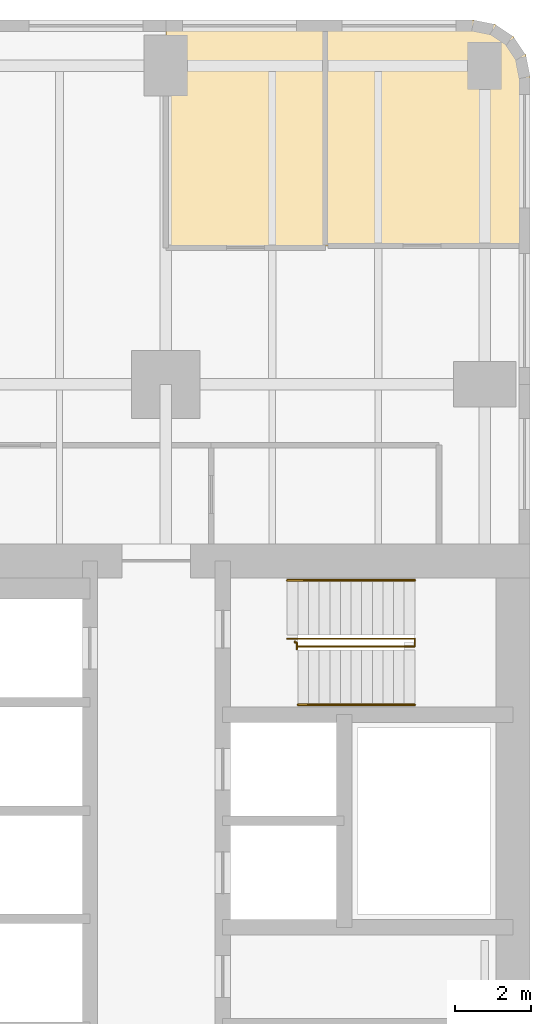
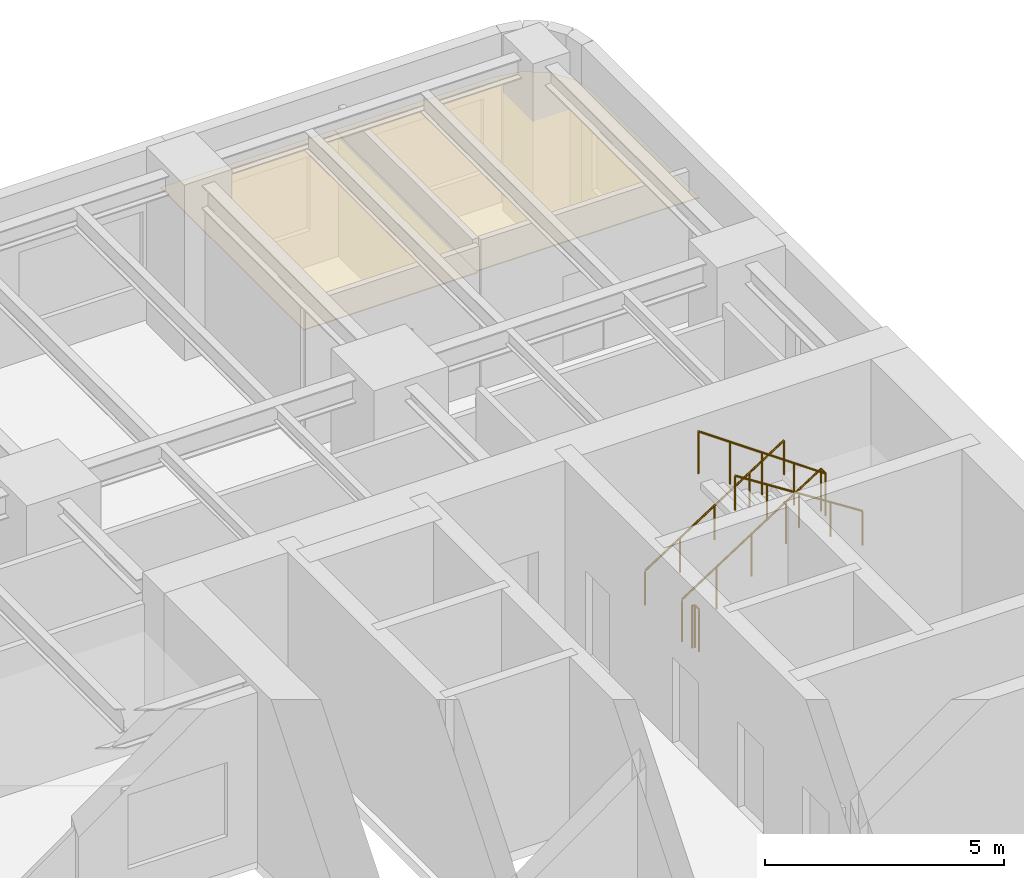
# One storey, part 12 of 12: 4 railings, 2 coverings.
"""IFC4 building model written with IfcOpenShell, lengths in metres."""

from ifc_helpers import new_model, si_unit, direction, frame, origin, origin_2d, place, context, subcontext, project, spatial, polyline, circle, outline, extrude, material, layer, layer_set, type_object, element, save


model = new_model("IFC4")

# Units and contexts
model_context = context("Model", 3, precision=1e-05, world=origin(), true_north=direction((0.0, 1.0)))
body_context = subcontext(model_context, "Body", "Model", "MODEL_VIEW")
ifc_project = project(units=[si_unit("LENGTHUNIT", "METRE"), si_unit("AREAUNIT", "SQUARE_METRE"), si_unit("VOLUMEUNIT", "CUBIC_METRE"), si_unit("PLANEANGLEUNIT", "RADIAN"), si_unit("MASSUNIT", "GRAM", prefix="KILO")], contexts=[model_context])

# Site, building, storey
site_placement = place(None, origin())
site = spatial("IfcSite", under=ifc_project, at=site_placement, CompositionType="ELEMENT")
building_placement = place(site_placement, origin())
building = spatial("IfcBuilding", under=site, at=building_placement, Name="Claustro Exchange Tower", CompositionType="ELEMENT")
storey_placement = place(building_placement, frame((0.0, 0.0, 68.39990234375)))
storey = spatial("IfcBuildingStorey", under=building, at=storey_placement, Name="L15", CompositionType="ELEMENT", Elevation=68.39990234375)

# Coverings
ifc_material_1 = material(Name="Gypsum board ceiling", Category="gypsum board")
ifc_layer = layer(ifc_material_1, 0.02490234375)
ifc_layer_set = layer_set([ifc_layer], Name="Gypsum board ceiling")
covering_type = type_object("IfcCoveringType", Name="CL2 plasterboard ceiling", PredefinedType="CEILING", material=ifc_layer_set)
covering_1_placement = place(storey_placement, frame((0.0, 0.0, 3.0)))
element("IfcCovering", 1, at=covering_1_placement, inside=storey, type_object=covering_type, Name="Ceiling CL2 L15-21", PredefinedType="CEILING", context=body_context, shape_type="SweptSolid", body=[
    extrude(outline(polyline([(46.199951171875, 51.60009765625), (42.0, 51.60009765625), (42.0, 45.60009765625), (46.199951171875, 45.60009765625), (46.199951171875, 51.60009765625)])), origin(), (0.0, 0.0, 1.0), 0.025146484375),
])
covering_2_placement = place(storey_placement, frame((0.0, 0.0, 3.0)))
element("IfcCovering", 2, at=covering_2_placement, inside=storey, type_object=covering_type, Name="Ceiling CL2 L15-22", PredefinedType="CEILING", context=body_context, shape_type="SweptSolid", body=[
    extrude(outline(polyline([(50.10009765625, 51.60009765625), (46.199951171875, 51.60009765625), (46.199951171875, 45.64990234375), (51.60009765625, 45.64990234375), (51.60009765625, 50.10009765625), (51.48583984375, 50.674072265625), (51.16064453125, 51.16064453125), (50.674072265625, 51.48583984375), (50.10009765625, 51.60009765625)])), origin(), (0.0, 0.0, 1.0), 0.025146484375),
])

# Railings
ifc_material_2 = material(Name="Steel balustrade, painted", Category="steel")
railing_type_1 = type_object("IfcRailingType", Name="GR2 1100 steel stair guard", PredefinedType="GUARDRAIL", material=ifc_material_2)
railing_1_placement = place(storey_placement, frame((45.199951171875, 35.300048828125, 0.18017578125)))
element("IfcRailing", 3, at=railing_1_placement, inside=storey, type_object=railing_type_1, Name="Stair well guard GR2 stair STEB L15", PredefinedType="GUARDRAIL", context=body_context, shape_type="SweptSolid", body=[
    extrude(circle(Radius=0.02392578125, at=origin_2d()), frame((0.0, 0.0, 1.076171875), z_axis=(0.84119634759, 0.0, 0.540729789082), x_axis=(0.0, 1.0, 0.0)), (0.0, 0.0, 1.0), 3.994384765625),
    extrude(circle(Radius=0.02392578125, at=origin_2d()), frame((3.360107421875, 0.0, 3.23583984375), z_axis=(0.0, -1.0, 0.0), x_axis=(1.0, 0.0, 0.0)), (0.0, 0.0, 1.0), 0.199951171875),
    extrude(circle(Radius=0.02392578125, at=origin_2d()), frame((3.360107421875, -0.199951171875, 3.23583984375), z_axis=(-0.8187499073, 0.0, 0.574150319426), x_axis=(0.0, -1.0, 0.0)), (0.0, 0.0, 1.0), 3.761962890625),
    extrude(circle(Radius=0.02099609375, at=origin_2d()), origin(), (0.0, 0.0, 1.0), 1.052001953125),
    extrude(circle(Radius=0.02099609375, at=origin_2d()), frame((0.840087890625, 0.0, 0.5400390625)), (0.0, 0.0, 1.0), 1.052001953125),
    extrude(circle(Radius=0.02099609375, at=origin_2d()), frame((1.68017578125, 0.0, 1.080078125)), (0.0, 0.0, 1.0), 1.052001953125),
    extrude(circle(Radius=0.02099609375, at=origin_2d()), frame((2.52001953125, 0.0, 1.619873046875)), (0.0, 0.0, 1.0), 1.052001953125),
    extrude(circle(Radius=0.02099609375, at=origin_2d()), frame((3.360107421875, 0.0, 2.159912109375)), (0.0, 0.0, 1.0), 1.052001953125),
    extrude(circle(Radius=0.02099609375, at=origin_2d()), frame((3.360107421875, -0.199951171875, 2.159912109375)), (0.0, 0.0, 1.0), 1.052001953125),
    extrude(circle(Radius=0.02099609375, at=origin_2d()), frame((2.590087890625, -0.199951171875, 2.699951171875)), (0.0, 0.0, 1.0), 1.052001953125),
    extrude(circle(Radius=0.02099609375, at=origin_2d()), frame((1.820068359375, -0.199951171875, 3.23974609375)), (0.0, 0.0, 1.0), 1.052001953125),
    extrude(circle(Radius=0.02099609375, at=origin_2d()), frame((1.050048828125, -0.199951171875, 3.77978515625)), (0.0, 0.0, 1.0), 1.052001953125),
    extrude(circle(Radius=0.02099609375, at=origin_2d()), frame((0.280029296875, -0.199951171875, 4.31982421875)), (0.0, 0.0, 1.0), 1.052001953125),
])
railing_2_placement = place(storey_placement, frame((45.39990234375, 35.22998046875, 0.0)))
element("IfcRailing", 4, at=railing_2_placement, inside=storey, type_object=railing_type_1, Name="Stair guard GR2 STEB L15", PredefinedType="GUARDRAIL", context=body_context, shape_type="SweptSolid", body=[
    extrude(circle(Radius=0.02392578125, at=origin_2d()), frame((0.0, 0.0, 1.076171875), z_axis=(0.0, -1.0, 0.0), x_axis=(1.0, 0.0, 0.0)), (0.0, 0.0, 1.0), 0.030029296875),
    extrude(circle(Radius=0.02392578125, at=origin_2d()), frame((0.0, -0.030029296875, 1.076171875), z_axis=(1.0, 0.0, 0.0), x_axis=(0.0, 1.0, 0.0)), (0.0, 0.0, 1.0), 0.05517578125),
    extrude(circle(Radius=0.02392578125, at=origin_2d()), frame((0.05517578125, -0.030029296875, 1.076171875), z_axis=(0.0, -1.0, 0.0), x_axis=(1.0, 0.0, 0.0)), (0.0, 0.0, 1.0), 0.179931640625),
    extrude(circle(Radius=0.02099609375, at=origin_2d()), origin(), (0.0, 0.0, 1.0), 1.052001953125),
    extrude(circle(Radius=0.02099609375, at=origin_2d()), frame((0.0, -0.030029296875, 0.0)), (0.0, 0.0, 1.0), 1.052001953125),
    extrude(circle(Radius=0.02099609375, at=origin_2d()), frame((0.05517578125, -0.030029296875, 0.0)), (0.0, 0.0, 1.0), 1.052001953125),
    extrude(circle(Radius=0.02099609375, at=origin_2d()), frame((0.05517578125, -0.2099609375, 0.0)), (0.0, 0.0, 1.0), 1.052001953125),
])
ifc_material_3 = material(Name="Stainless steel tube", Category="steel")
railing_type_2 = type_object("IfcRailingType", Name="HR1 900 stair handrail", PredefinedType="HANDRAIL", material=ifc_material_3)
railing_3_placement = place(storey_placement, frame((45.199951171875, 36.840087890625, 0.18017578125)))
element("IfcRailing", 5, at=railing_3_placement, inside=storey, type_object=railing_type_2, Name="Handrail HR1 stair STEB L15", PredefinedType="HANDRAIL", context=body_context, shape_type="SweptSolid", body=[
    extrude(circle(Radius=0.02392578125, at=origin_2d()), frame((0.0, 0.0, 0.8759765625), z_axis=(0.84119634759, 0.0, 0.540729789082), x_axis=(0.0, 1.0, 0.0)), (0.0, 0.0, 1.0), 3.994384765625),
    extrude(circle(Radius=0.02099609375, at=origin_2d()), origin(), (0.0, 0.0, 1.0), 0.851806640625),
    extrude(circle(Radius=0.02099609375, at=origin_2d()), frame((0.840087890625, 0.0, 0.5400390625)), (0.0, 0.0, 1.0), 0.851806640625),
    extrude(circle(Radius=0.02099609375, at=origin_2d()), frame((1.68017578125, 0.0, 1.080078125)), (0.0, 0.0, 1.0), 0.851806640625),
    extrude(circle(Radius=0.02099609375, at=origin_2d()), frame((2.52001953125, 0.0, 1.619873046875)), (0.0, 0.0, 1.0), 0.851806640625),
    extrude(circle(Radius=0.02099609375, at=origin_2d()), frame((3.360107421875, 0.0, 2.159912109375)), (0.0, 0.0, 1.0), 0.851806640625),
])
railing_4_placement = place(storey_placement, frame((48.56005859375, 33.56005859375, 2.52001953125)))
element("IfcRailing", 6, at=railing_4_placement, inside=storey, type_object=railing_type_2, Name="Handrail HR1 stair STEB L15", PredefinedType="HANDRAIL", context=body_context, shape_type="SweptSolid", body=[
    extrude(circle(Radius=0.02392578125, at=origin_2d()), frame((0.0, 0.0, 0.8759765625), z_axis=(-0.84118714077, 0.0, 0.540744111576), x_axis=(0.0, -1.0, 0.0)), (0.0, 0.0, 1.0), 3.66162109375),
    extrude(circle(Radius=0.02099609375, at=origin_2d()), origin(), (0.0, 0.0, 1.0), 0.851806640625),
    extrude(circle(Radius=0.02099609375, at=origin_2d()), frame((-0.77001953125, 0.0, 0.4951171875)), (0.0, 0.0, 1.0), 0.851806640625),
    extrude(circle(Radius=0.02099609375, at=origin_2d()), frame((-1.5400390625, 0.0, 0.989990234375)), (0.0, 0.0, 1.0), 0.851806640625),
    extrude(circle(Radius=0.02099609375, at=origin_2d()), frame((-2.31005859375, 0.0, 1.48486328125)), (0.0, 0.0, 1.0), 0.851806640625),
    extrude(circle(Radius=0.02099609375, at=origin_2d()), frame((-3.080078125, 0.0, 1.97998046875)), (0.0, 0.0, 1.0), 0.851806640625),
])

save(model, "model.ifc")
